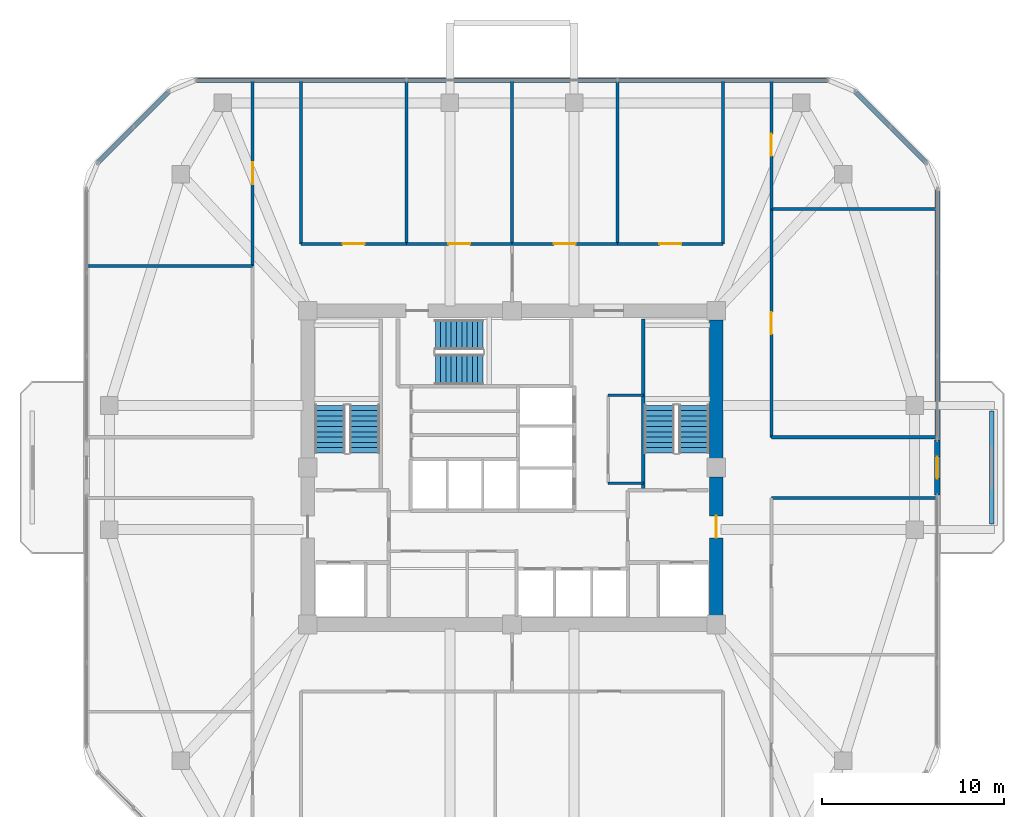
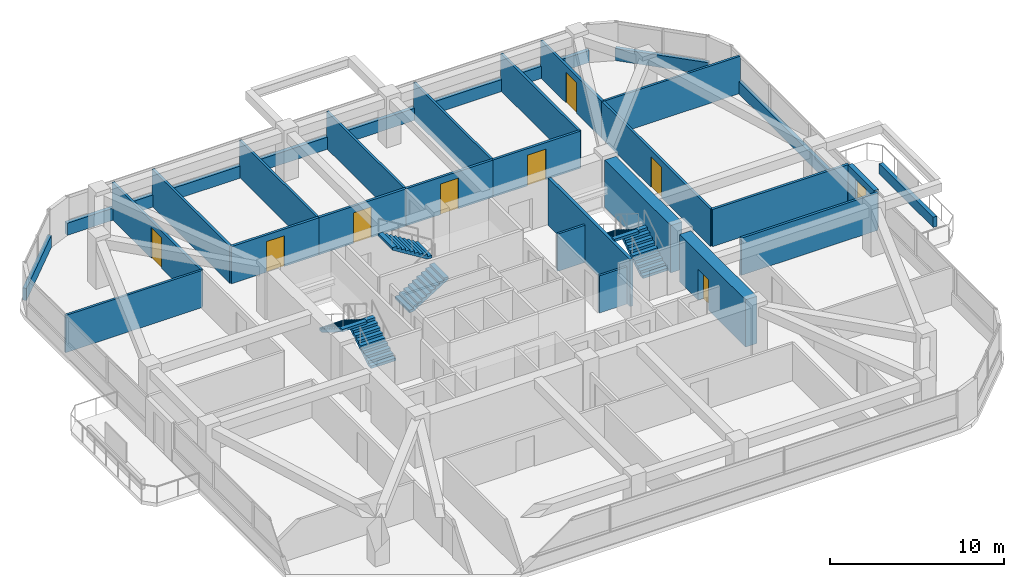
# One storey, part 10 of 12: 27 walls, 9 doors, 6 stair flights, 9 openings, 3 elements without a shape of their own.
"""IFC4 building model written with IfcOpenShell, lengths in metres."""

from ifc_helpers import new_model, si_unit, derived_unit, direction, frame, frame_2d, origin, place, context, subcontext, project, spatial, polyline, rectangle, outline, extrude, material, layer, layer_set, type_object, element, fill, aggregate, save


model = new_model("IFC4")

# Units and contexts
model_context = context("Model", 3, precision=1e-05, world=origin(), true_north=direction((0.0, 1.0)))
body_context = subcontext(model_context, "Body", "Model", "MODEL_VIEW")
ifc_project = project(units=[si_unit("LENGTHUNIT", "METRE"), si_unit("AREAUNIT", "SQUARE_METRE"), si_unit("VOLUMEUNIT", "CUBIC_METRE"), si_unit("PLANEANGLEUNIT", "RADIAN"), si_unit("MASSUNIT", "GRAM", prefix="KILO"), derived_unit("THERMALTRANSMITTANCEUNIT", [(si_unit("POWERUNIT", "WATT"), 1), (si_unit("LENGTHUNIT", "METRE"), -2), (si_unit("THERMODYNAMICTEMPERATUREUNIT", "KELVIN"), -1)])], contexts=[model_context])

# Site, building, storey
site_placement = place(None, origin())
site = spatial("IfcSite", under=ifc_project, at=site_placement, CompositionType="ELEMENT")
building_placement = place(site_placement, origin())
building = spatial("IfcBuilding", under=site, at=building_placement, Name="Koralith Skygarden Medical Center", CompositionType="ELEMENT")
storey_placement = place(building_placement, frame((0.0, 0.0, 170.820068359375)))
storey = spatial("IfcBuildingStorey", under=building, at=storey_placement, Name="L44", CompositionType="ELEMENT", Elevation=170.820068359375)

# Walls
ifc_material_1 = material(Name="Gypsum Board Partition")
ifc_layer_1 = layer(ifc_material_1, 0.14990234375)
ifc_layer_set_1 = layer_set([ifc_layer_1], Name="Gypsum Board Partition")
wall_type_1 = type_object("IfcWallType", Name="Clinical Acoustic Partition 150", PredefinedType="PARTITIONING", material=ifc_layer_set_1)
for number, where, z_axis, x_axis, name in (
    (1, (42.27001953125, 25.0400390625, 0.0), (0.0, 0.0, 1.0), (1.0, 0.0, 0.0), "L44 Clinical Acoustic Partition 150 W-CORE-L44-ESUB-S"),
    (2, (42.27001953125, 29.860107421875, 0.0), (0.0, 0.0, 1.0), (1.0, 0.0, 0.0), "L44 Clinical Acoustic Partition 150 W-CORE-L44-ESUB-N"),
):
    element("IfcWall", number, at=place(storey_placement, frame(where, z_axis=z_axis, x_axis=x_axis)), inside=storey, type_object=wall_type_1, Name=name, PredefinedType="PARTITIONING", context=body_context, shape_type="SweptSolid", body=[
        extrude(rectangle(XDim=1.929931640625, YDim=0.14990234375, at=frame_2d((0.96484375, 0.0))), origin(), (0.0, 0.0, 1.0), 2.60986328125),
    ])
for number, where, z_axis, x_axis, name in (
    (3, (31.219970703125, 38.159912109375, 0.0), (0.0, 0.0, 1.0), (0.0, 1.0, 0.0), "L44 Clinical Acoustic Partition 150 W-PART-L44-N-01"),
    (4, (37.0, 38.159912109375, 0.0), (0.0, 0.0, 1.0), (0.0, 1.0, 0.0), "L44 Clinical Acoustic Partition 150 W-PART-L44-N-02"),
    (5, (42.780029296875, 38.159912109375, 0.0), (0.0, 0.0, 1.0), (0.0, 1.0, 0.0), "L44 Clinical Acoustic Partition 150 W-PART-L44-N-03"),
):
    element("IfcWall", number, at=place(storey_placement, frame(where, z_axis=z_axis, x_axis=x_axis)), inside=storey, type_object=wall_type_1, Name=name, PredefinedType="PARTITIONING", context=body_context, shape_type="SweptSolid", body=[
        extrude(rectangle(XDim=8.940185546875, YDim=0.14990234375, at=frame_2d((4.47021484375, 0.0))), origin(), (0.0, 0.0, 1.0), 2.60986328125),
    ])
for number, where, z_axis, x_axis, name in (
    (6, (22.7900390625, 36.93896484375, 0.0), (0.0, 0.0, 1.0), (-1.0, 0.0, 0.0), "L44 Clinical Acoustic Partition 150 W-PART-L44-WN-01"),
    (7, (51.2099609375, 40.06591796875, 0.0), (0.0, 0.0, 1.0), (1.0, 0.0, 0.0), "L44 Clinical Acoustic Partition 150 W-PART-L44-EN-01"),
):
    element("IfcWall", number, at=place(storey_placement, frame(where, z_axis=z_axis, x_axis=x_axis)), inside=storey, type_object=wall_type_1, Name=name, PredefinedType="PARTITIONING", context=body_context, shape_type="SweptSolid", body=[
        extrude(rectangle(XDim=9.073974609375, YDim=0.14990234375, at=frame_2d((4.537109375, 0.0))), origin(), (0.0, 0.0, 1.0), 2.60986328125),
    ])
ifc_layer_2 = layer(ifc_material_1, 0.1650390625)
ifc_layer_set_2 = layer_set([ifc_layer_2], Name="Gypsum Board Partition")
wall_type_2 = type_object("IfcWallType", Name="Clinical Corridor Partition 165", PredefinedType="PARTITIONING", material=ifc_layer_set_2)
for number, where, z_axis, x_axis, name in (
    (8, (25.429931640625, 38.159912109375, 0.0), (0.0, 0.0, 1.0), (0.0, 1.0, 0.0), "L44 Clinical Corridor Partition 165 W-HCOR-L44-NW"),
    (9, (48.570068359375, 38.159912109375, 0.0), (0.0, 0.0, 1.0), (0.0, 1.0, 0.0), "L44 Clinical Corridor Partition 165 W-HCOR-L44-NE"),
):
    element("IfcWall", number, at=place(storey_placement, frame(where, z_axis=z_axis, x_axis=x_axis)), inside=storey, type_object=wall_type_2, Name=name, PredefinedType="PARTITIONING", context=body_context, shape_type="SweptSolid", body=[
        extrude(rectangle(XDim=8.940185546875, YDim=0.1650390625, at=frame_2d((4.47021484375, 0.0))), origin(), (0.0, 0.0, 1.0), 2.60986328125),
    ])
for number, where, z_axis, x_axis, name in (
    (10, (51.2099609375, 24.239990234375, 0.0), (0.0, 0.0, 1.0), (1.0, 0.0, 0.0), "L44 Clinical Corridor Partition 165 W-HCOR-L44-EWS-E"),
    (11, (51.2099609375, 27.56005859375, 0.0), (0.0, 0.0, 1.0), (1.0, 0.0, 0.0), "L44 Clinical Corridor Partition 165 W-HCOR-L44-EWN-E"),
):
    element("IfcWall", number, at=place(storey_placement, frame(where, z_axis=z_axis, x_axis=x_axis)), inside=storey, type_object=wall_type_2, Name=name, PredefinedType="PARTITIONING", context=body_context, shape_type="SweptSolid", body=[
        extrude(rectangle(XDim=9.073974609375, YDim=0.1650390625, at=frame_2d((4.537109375, 0.0))), origin(), (0.0, 0.0, 1.0), 2.60986328125),
    ])

# Wall, opening, door
wall_1_placement = place(storey_placement, frame((25.429931640625, 38.159912109375, 0.0), z_axis=(0.0, 0.0, 1.0), x_axis=(1.0, 0.0, 0.0)))
wall_1 = element("IfcWall", 12, at=wall_1_placement, inside=storey, type_object=wall_type_2, Name="L44 Clinical Corridor Partition 165 W-CORR-L44-N-01", PredefinedType="PARTITIONING", context=body_context, shape_type="SweptSolid", body=[
    extrude(rectangle(XDim=5.7900390625, YDim=0.1650390625, at=frame_2d((2.89501953125, 0.0))), origin(), (0.0, 0.0, 1.0), 2.60986328125),
])
opening_1_placement = place(wall_1_placement, frame((2.294921875, 0.0, 0.0)))
opening_1 = element("IfcOpeningElement", 13, at=opening_1_placement, cuts=wall_1, Name="Opening D-CLN", PredefinedType="OPENING", context=body_context, shape_type="SweptSolid", body=[
    extrude(rectangle(XDim=1.199951171875, YDim=2.14990234375, at=frame_2d((0.60009765625, 1.074951171875))), frame((0.0, 0.092529296875, 0.0), z_axis=(0.0, -1.0, 0.0), x_axis=(1.0, 0.0, 0.0)), (0.0, 0.0, 1.0), 0.18505859375),
])
ifc_material_2 = material(Name="Aluminium 6063-T6", Category="aluminium")
door_type_1 = type_object("IfcDoorType", Name="Clinical Corridor Door D-CLN 1200", OperationType="NOTDEFINED", PredefinedType="DOOR", material=ifc_material_2)
door_1_placement = place(opening_1_placement, origin())
door_1 = element("IfcDoor", 14, at=door_1_placement, inside=storey, type_object=door_type_1, Name="L44 Neurological Gait Rehab Gym Hall 01 Door", OperationType="SINGLE_SWING_RIGHT", OverallHeight=2.14990234375, OverallWidth=1.199951171875, PredefinedType="DOOR", context=body_context, shape_type="SweptSolid", body=[
    extrude(rectangle(XDim=1.199951171875, YDim=2.14990234375, at=frame_2d((0.60009765625, 1.074951171875))), frame((0.0, 0.02490234375, 0.0), z_axis=(0.0, -1.0, 0.0), x_axis=(1.0, 0.0, 0.0)), (0.0, 0.0, 1.0), 0.050048828125),
])
fill(opening_1, door_1)

wall_2_placement = place(storey_placement, frame((31.219970703125, 38.159912109375, 0.0), z_axis=(0.0, 0.0, 1.0), x_axis=(1.0, 0.0, 0.0)))
wall_2 = element("IfcWall", 15, at=wall_2_placement, inside=storey, type_object=wall_type_2, Name="L44 Clinical Corridor Partition 165 W-CORR-L44-N-02", PredefinedType="PARTITIONING", context=body_context, shape_type="SweptSolid", body=[
    extrude(rectangle(XDim=5.780029296875, YDim=0.1650390625, at=frame_2d((2.89013671875, 0.0))), origin(), (0.0, 0.0, 1.0), 2.60986328125),
])
opening_2_placement = place(wall_2_placement, frame((2.2900390625, 0.0, 0.0)))
opening_2 = element("IfcOpeningElement", 16, at=opening_2_placement, cuts=wall_2, Name="Opening D-CLN", PredefinedType="OPENING", context=body_context, shape_type="SweptSolid", body=[
    extrude(rectangle(XDim=1.199951171875, YDim=2.14990234375, at=frame_2d((0.60009765625, 1.074951171875))), frame((0.0, 0.092529296875, 0.0), z_axis=(0.0, -1.0, 0.0), x_axis=(1.0, 0.0, 0.0)), (0.0, 0.0, 1.0), 0.18505859375),
])
door_2_placement = place(opening_2_placement, origin())
door_2 = element("IfcDoor", 17, at=door_2_placement, inside=storey, type_object=door_type_1, Name="L44 Balance Therapy Exercise Hall 02 Door", OperationType="SINGLE_SWING_LEFT", OverallHeight=2.14990234375, OverallWidth=1.199951171875, PredefinedType="DOOR", context=body_context, shape_type="SweptSolid", body=[
    extrude(rectangle(XDim=1.199951171875, YDim=2.14990234375, at=frame_2d((0.60009765625, 1.074951171875))), frame((0.0, 0.02490234375, 0.0), z_axis=(0.0, -1.0, 0.0), x_axis=(1.0, 0.0, 0.0)), (0.0, 0.0, 1.0), 0.050048828125),
])
fill(opening_2, door_2)

wall_3_placement = place(storey_placement, frame((37.0, 38.159912109375, 0.0), z_axis=(0.0, 0.0, 1.0), x_axis=(1.0, 0.0, 0.0)))
wall_3 = element("IfcWall", 18, at=wall_3_placement, inside=storey, type_object=wall_type_2, Name="L44 Clinical Corridor Partition 165 W-CORR-L44-N-03", PredefinedType="PARTITIONING", context=body_context, shape_type="SweptSolid", body=[
    extrude(rectangle(XDim=5.780029296875, YDim=0.1650390625, at=frame_2d((2.89013671875, 0.0))), origin(), (0.0, 0.0, 1.0), 2.60986328125),
])
opening_3_placement = place(wall_3_placement, frame((2.2900390625, 0.0, 0.0)))
opening_3 = element("IfcOpeningElement", 19, at=opening_3_placement, cuts=wall_3, Name="Opening D-CLN", PredefinedType="OPENING", context=body_context, shape_type="SweptSolid", body=[
    extrude(rectangle(XDim=1.199951171875, YDim=2.14990234375, at=frame_2d((0.60009765625, 1.074951171875))), frame((0.0, 0.092529296875, 0.0), z_axis=(0.0, -1.0, 0.0), x_axis=(1.0, 0.0, 0.0)), (0.0, 0.0, 1.0), 0.18505859375),
])
door_3_placement = place(opening_3_placement, origin())
door_3 = element("IfcDoor", 20, at=door_3_placement, inside=storey, type_object=door_type_1, Name="L44 Physiatry Consult Office 03 Door", OperationType="SINGLE_SWING_RIGHT", OverallHeight=2.14990234375, OverallWidth=1.199951171875, PredefinedType="DOOR", context=body_context, shape_type="SweptSolid", body=[
    extrude(rectangle(XDim=1.199951171875, YDim=2.14990234375, at=frame_2d((0.60009765625, 1.074951171875))), frame((0.0, 0.02490234375, 0.0), z_axis=(0.0, -1.0, 0.0), x_axis=(1.0, 0.0, 0.0)), (0.0, 0.0, 1.0), 0.050048828125),
])
fill(opening_3, door_3)

wall_4_placement = place(storey_placement, frame((42.780029296875, 38.159912109375, 0.0), z_axis=(0.0, 0.0, 1.0), x_axis=(1.0, 0.0, 0.0)))
wall_4 = element("IfcWall", 21, at=wall_4_placement, inside=storey, type_object=wall_type_2, Name="L44 Clinical Corridor Partition 165 W-CORR-L44-N-04", PredefinedType="PARTITIONING", context=body_context, shape_type="SweptSolid", body=[
    extrude(rectangle(XDim=5.7900390625, YDim=0.1650390625, at=frame_2d((2.89501953125, 0.0))), origin(), (0.0, 0.0, 1.0), 2.60986328125),
])
opening_4_placement = place(wall_4_placement, frame((2.294921875, 0.0, 0.0)))
opening_4 = element("IfcOpeningElement", 22, at=opening_4_placement, cuts=wall_4, Name="Opening D-CLN", PredefinedType="OPENING", context=body_context, shape_type="SweptSolid", body=[
    extrude(rectangle(XDim=1.199951171875, YDim=2.14990234375, at=frame_2d((0.60009765625, 1.074951171875))), frame((0.0, 0.092529296875, 0.0), z_axis=(0.0, -1.0, 0.0), x_axis=(1.0, 0.0, 0.0)), (0.0, 0.0, 1.0), 0.18505859375),
])
door_4_placement = place(opening_4_placement, origin())
door_4 = element("IfcDoor", 23, at=door_4_placement, inside=storey, type_object=door_type_1, Name="L44 Clinical Consultation Office 04 Door", OperationType="SINGLE_SWING_LEFT", OverallHeight=2.14990234375, OverallWidth=1.199951171875, PredefinedType="DOOR", context=body_context, shape_type="SweptSolid", body=[
    extrude(rectangle(XDim=1.199951171875, YDim=2.14990234375, at=frame_2d((0.60009765625, 1.074951171875))), frame((0.0, 0.02490234375, 0.0), z_axis=(0.0, -1.0, 0.0), x_axis=(1.0, 0.0, 0.0)), (0.0, 0.0, 1.0), 0.050048828125),
])
fill(opening_4, door_4)

wall_5_placement = place(storey_placement, frame((22.7900390625, 36.93896484375, 0.0), z_axis=(0.0, 0.0, 1.0), x_axis=(0.0, 1.0, 0.0)))
wall_5 = element("IfcWall", 24, at=wall_5_placement, inside=storey, type_object=wall_type_2, Name="L44 Clinical Corridor Partition 165 W-CORR-L44-WN-02", PredefinedType="PARTITIONING", context=body_context, shape_type="SweptSolid", body=[
    extrude(rectangle(XDim=10.1611328125, YDim=0.1650390625, at=frame_2d((5.08056640625, 0.0))), origin(), (0.0, 0.0, 1.0), 2.60986328125),
])
opening_5_placement = place(wall_5_placement, frame((4.48095703125, 0.0, 0.0)))
opening_5 = element("IfcOpeningElement", 25, at=opening_5_placement, cuts=wall_5, Name="Opening D-CLN", PredefinedType="OPENING", context=body_context, shape_type="SweptSolid", body=[
    extrude(rectangle(XDim=1.199951171875, YDim=2.14990234375, at=frame_2d((0.60009765625, 1.074951171875))), frame((0.0, 0.092529296875, 0.0), z_axis=(0.0, -1.0, 0.0), x_axis=(1.0, 0.0, 0.0)), (0.0, 0.0, 1.0), 0.18505859375),
])
door_5_placement = place(opening_5_placement, frame((1.199951171875, 0.0, 0.0), z_axis=(0.0, 0.0, 1.0), x_axis=(-1.0, 0.0, 0.0)))
door_5 = element("IfcDoor", 26, at=door_5_placement, inside=storey, type_object=door_type_1, Name="L44 Balance Therapy Exercise Hall 10 Door", OperationType="SINGLE_SWING_LEFT", OverallHeight=2.14990234375, OverallWidth=1.199951171875, PredefinedType="DOOR", context=body_context, shape_type="SweptSolid", body=[
    extrude(rectangle(XDim=1.199951171875, YDim=2.14990234375, at=frame_2d((0.60009765625, 1.074951171875))), frame((0.0, 0.02490234375, 0.0), z_axis=(0.0, -1.0, 0.0), x_axis=(1.0, 0.0, 0.0)), (0.0, 0.0, 1.0), 0.050048828125),
])
fill(opening_5, door_5)

wall_6_placement = place(storey_placement, frame((51.2099609375, 27.56005859375, 0.0), z_axis=(0.0, 0.0, 1.0), x_axis=(0.0, 1.0, 0.0)))
wall_6 = element("IfcWall", 27, at=wall_6_placement, inside=storey, type_object=wall_type_2, Name="L44 Clinical Corridor Partition 165 W-CORR-L44-EN-01", PredefinedType="PARTITIONING", context=body_context, shape_type="SweptSolid", body=[
    extrude(rectangle(XDim=12.505859375, YDim=0.1650390625, at=frame_2d((6.2529296875, 0.0))), origin(), (0.0, 0.0, 1.0), 2.60986328125),
])
opening_6_placement = place(wall_6_placement, frame((5.653076171875, 0.0, 0.0)))
opening_6 = element("IfcOpeningElement", 28, at=opening_6_placement, cuts=wall_6, Name="Opening D-CLN", PredefinedType="OPENING", context=body_context, shape_type="SweptSolid", body=[
    extrude(rectangle(XDim=1.199951171875, YDim=2.14990234375, at=frame_2d((0.60009765625, 1.074951171875))), frame((0.0, 0.092529296875, 0.0), z_axis=(0.0, -1.0, 0.0), x_axis=(1.0, 0.0, 0.0)), (0.0, 0.0, 1.0), 0.18505859375),
])
door_6_placement = place(opening_6_placement, origin())
door_6 = element("IfcDoor", 29, at=door_6_placement, inside=storey, type_object=door_type_1, Name="L44 Neurological Gait Rehab Gym Hall 13 Door", OperationType="SINGLE_SWING_RIGHT", OverallHeight=2.14990234375, OverallWidth=1.199951171875, PredefinedType="DOOR", context=body_context, shape_type="SweptSolid", body=[
    extrude(rectangle(XDim=1.199951171875, YDim=2.14990234375, at=frame_2d((0.60009765625, 1.074951171875))), frame((0.0, 0.02490234375, 0.0), z_axis=(0.0, -1.0, 0.0), x_axis=(1.0, 0.0, 0.0)), (0.0, 0.0, 1.0), 0.050048828125),
])
fill(opening_6, door_6)

wall_7_placement = place(storey_placement, frame((51.2099609375, 40.06591796875, 0.0), z_axis=(0.0, 0.0, 1.0), x_axis=(0.0, 1.0, 0.0)))
wall_7 = element("IfcWall", 30, at=wall_7_placement, inside=storey, type_object=wall_type_2, Name="L44 Clinical Corridor Partition 165 W-CORR-L44-EN-02", PredefinedType="PARTITIONING", context=body_context, shape_type="SweptSolid", body=[
    extrude(rectangle(XDim=7.0341796875, YDim=0.1650390625, at=frame_2d((3.51708984375, 0.0))), origin(), (0.0, 0.0, 1.0), 2.60986328125),
])
opening_7_placement = place(wall_7_placement, frame((2.9169921875, 0.0, 0.0)))
opening_7 = element("IfcOpeningElement", 31, at=opening_7_placement, cuts=wall_7, Name="Opening D-CLN", PredefinedType="OPENING", context=body_context, shape_type="SweptSolid", body=[
    extrude(rectangle(XDim=1.199951171875, YDim=2.14990234375, at=frame_2d((0.60009765625, 1.074951171875))), frame((0.0, 0.092529296875, 0.0), z_axis=(0.0, -1.0, 0.0), x_axis=(1.0, 0.0, 0.0)), (0.0, 0.0, 1.0), 0.18505859375),
])
door_7_placement = place(opening_7_placement, origin())
door_7 = element("IfcDoor", 32, at=door_7_placement, inside=storey, type_object=door_type_1, Name="L44 Balance Therapy Exercise Hall 14 Door", OperationType="SINGLE_SWING_LEFT", OverallHeight=2.14990234375, OverallWidth=1.199951171875, PredefinedType="DOOR", context=body_context, shape_type="SweptSolid", body=[
    extrude(rectangle(XDim=1.199951171875, YDim=2.14990234375, at=frame_2d((0.60009765625, 1.074951171875))), frame((0.0, 0.02490234375, 0.0), z_axis=(0.0, -1.0, 0.0), x_axis=(1.0, 0.0, 0.0)), (0.0, 0.0, 1.0), 0.050048828125),
])
fill(opening_7, door_7)

# Walls
ifc_material_3 = material(Name="Warm Oolitic Limestone Cladding", Category="masonry")
ifc_layer_3 = layer(ifc_material_3, 0.239990234375)
ifc_layer_set_3 = layer_set([ifc_layer_3], Name="Warm Oolitic Limestone Cladding")
wall_type_3 = type_object("IfcWallType", Name="Limestone Spandrel Sill Backup Wall 240", PredefinedType="SOLIDWALL", material=ifc_layer_set_3)
wall_8_placement = place(storey_placement, frame((60.303955078125, 27.43994140625, 0.0), z_axis=(0.0, 0.0, 1.0), x_axis=(0.0, 1.0, 0.0)))
element("IfcWall", 33, at=wall_8_placement, inside=storey, type_object=wall_type_3, Name="L44 Sill Spandrel E-R", PredefinedType="SOLIDWALL", context=body_context, shape_type="SweptSolid", body=[
    extrude(rectangle(XDim=13.705078125, YDim=0.239990234375, at=frame_2d((6.8525390625, 0.0))), origin(), (0.0, 0.0, 1.0), 0.849853515625),
])
wall_9_placement = place(storey_placement, frame((59.702880859375, 42.595947265625, 0.0), z_axis=(0.0, 0.0, 1.0), x_axis=(-0.707084777957, 0.707128783731, 0.0)))
element("IfcWall", 34, at=wall_9_placement, inside=storey, type_object=wall_type_3, Name="L44 Sill Spandrel NE", PredefinedType="SOLIDWALL", context=body_context, shape_type="SweptSolid", body=[
    extrude(rectangle(XDim=5.5478515625, YDim=0.239990234375, at=frame_2d((2.77392578125, 0.0))), origin(), (0.0, 0.0, 1.0), 0.849853515625),
])
wall_10_placement = place(storey_placement, frame((54.3291015625, 47.1201171875, 0.0), z_axis=(0.0, 0.0, 1.0), x_axis=(-1.0, 0.0, 0.0)))
element("IfcWall", 35, at=wall_10_placement, inside=storey, type_object=wall_type_3, Name="L44 Sill Spandrel N", PredefinedType="SOLIDWALL", context=body_context, shape_type="SweptSolid", body=[
    extrude(rectangle(XDim=34.658203125, YDim=0.239990234375, at=frame_2d((17.3291015625, 0.0))), origin(), (0.0, 0.0, 1.0), 0.849853515625),
])
wall_11_placement = place(storey_placement, frame((18.219970703125, 46.51904296875, 0.0), z_axis=(0.0, 0.0, 1.0), x_axis=(-0.707084777957, -0.707128783731, 0.0)))
element("IfcWall", 36, at=wall_11_placement, inside=storey, type_object=wall_type_3, Name="L44 Sill Spandrel NW", PredefinedType="SOLIDWALL", context=body_context, shape_type="SweptSolid", body=[
    extrude(rectangle(XDim=5.5478515625, YDim=0.239990234375, at=frame_2d((2.77392578125, 0.0))), origin(), (0.0, 0.0, 1.0), 0.849853515625),
])

# Wall, opening, door
ifc_material_4 = material(Name="Concrete C70/85", Category="concrete")
ifc_layer_4 = layer(ifc_material_4, 0.75)
ifc_layer_set_4 = layer_set([ifc_layer_4], Name="Concrete C70/85")
wall_type_4 = type_object("IfcWallType", Name="Mid Core Shear Wall 750", PredefinedType="SHEAR", material=ifc_layer_set_4)
wall_12_placement = place(storey_placement, frame((48.199951171875, 17.804931640625, 0.0), z_axis=(0.0, 0.0, 1.0), x_axis=(0.0, 1.0, 0.0)))
wall_12 = element("IfcWall", 37, at=wall_12_placement, inside=storey, type_object=wall_type_4, Name="L44 Core Shear Wall Segment 3", PredefinedType="SHEAR", context=body_context, shape_type="SweptSolid", body=[
    extrude(rectangle(XDim=7.590087890625, YDim=0.75, at=frame_2d((3.794921875, 0.0))), origin(), (0.0, 0.0, 1.0), 3.31982421875),
])
opening_8_placement = place(wall_12_placement, frame((4.2451171875, 0.0, 0.0)))
opening_8 = element("IfcOpeningElement", 38, at=opening_8_placement, cuts=wall_12, Name="Opening D-ST60", PredefinedType="OPENING", context=body_context, shape_type="SweptSolid", body=[
    extrude(rectangle(XDim=1.199951171875, YDim=2.14990234375, at=frame_2d((0.60009765625, 1.074951171875))), frame((0.0, 0.385009765625, 0.0), z_axis=(0.0, -1.0, 0.0), x_axis=(1.0, 0.0, 0.0)), (0.0, 0.0, 1.0), 0.77001953125),
])
ifc_material_5 = material(Name="Steel ASTM A500 Grade C", Category="steel")
door_type_2 = type_object("IfcDoorType", Name="Smokeproof Stair Fire Door FD60S 1200", OperationType="NOTDEFINED", PredefinedType="DOOR", material=ifc_material_5)
door_8_placement = place(opening_8_placement, frame((1.199951171875, 0.0, 0.0), z_axis=(0.0, 0.0, 1.0), x_axis=(-1.0, 0.0, 0.0)))
door_8 = element("IfcDoor", 39, at=door_8_placement, inside=storey, type_object=door_type_2, Name="L44 East Corridor to Firefighting Lobby Door", OperationType="SINGLE_SWING_RIGHT", OverallHeight=2.14990234375, OverallWidth=1.199951171875, PredefinedType="DOOR", context=body_context, shape_type="SweptSolid", body=[
    extrude(rectangle(XDim=1.199951171875, YDim=2.14990234375, at=frame_2d((0.60009765625, 1.074951171875))), frame((0.0, 0.02490234375, 0.0), z_axis=(0.0, -1.0, 0.0), x_axis=(1.0, 0.0, 0.0)), (0.0, 0.0, 1.0), 0.050048828125),
])
fill(opening_8, door_8)

# Wall
wall_13_placement = place(storey_placement, frame((48.199951171875, 26.405029296875, 0.0), z_axis=(0.0, 0.0, 1.0), x_axis=(0.0, 1.0, 0.0)))
element("IfcWall", 40, at=wall_13_placement, inside=storey, type_object=wall_type_4, Name="L44 Core Shear Wall Segment 4", PredefinedType="SHEAR", context=body_context, shape_type="SweptSolid", body=[
    extrude(rectangle(XDim=7.590087890625, YDim=0.75, at=frame_2d((3.794921875, 0.0))), origin(), (0.0, 0.0, 1.0), 3.31982421875),
])

# Wall, opening, door
ifc_layer_5 = layer(ifc_material_3, 0.300048828125)
ifc_layer_set_5 = layer_set([ifc_layer_5], Name="Warm Oolitic Limestone Cladding")
wall_type_5 = type_object("IfcWallType", Name="Oolitic Limestone Insulated Facade Wall 300", PredefinedType="SOLIDWALL", material=ifc_layer_set_5)
wall_14_placement = place(storey_placement, frame((60.303955078125, 24.39990234375, 0.0), z_axis=(0.0, 0.0, 1.0), x_axis=(0.0, 1.0, 0.0)))
wall_14 = element("IfcWall", 41, at=wall_14_placement, inside=storey, type_object=wall_type_5, Name="L44 Terrace Portal Wall E", PredefinedType="SOLIDWALL", context=body_context, shape_type="SweptSolid", body=[
    extrude(rectangle(XDim=3.0, YDim=0.300048828125, at=frame_2d((1.5, 0.0))), origin(), (0.0, 0.0, 1.0), 2.669921875),
])
opening_9_placement = place(wall_14_placement, frame((0.89990234375, 0.0, 0.0)))
opening_9 = element("IfcOpeningElement", 42, at=opening_9_placement, cuts=wall_14, Name="Opening D-BAL", PredefinedType="OPENING", context=body_context, shape_type="SweptSolid", body=[
    extrude(rectangle(XDim=1.199951171875, YDim=2.199951171875, at=frame_2d((0.60009765625, 1.10009765625))), frame((0.0, 0.159912109375, 0.0), z_axis=(0.0, -1.0, 0.0), x_axis=(1.0, 0.0, 0.0)), (0.0, 0.0, 1.0), 0.320068359375),
])
door_type_3 = type_object("IfcDoorType", Name="Planted Balcony Glazed Terrace Door D-BAL 1200", OperationType="NOTDEFINED", PredefinedType="DOOR", material=ifc_material_2)
door_9_placement = place(opening_9_placement, origin())
door_9 = element("IfcDoor", 43, at=door_9_placement, inside=storey, type_object=door_type_3, Name="L44 E Outdoor Terrace Access Door", OperationType="SINGLE_SWING_LEFT", OverallHeight=2.199951171875, OverallWidth=1.199951171875, PredefinedType="DOOR", context=body_context, shape_type="SweptSolid", body=[
    extrude(rectangle(XDim=1.199951171875, YDim=2.199951171875, at=frame_2d((0.60009765625, 1.10009765625))), frame((0.0, 0.02490234375, 0.0), z_axis=(0.0, -1.0, 0.0), x_axis=(1.0, 0.0, 0.0)), (0.0, 0.0, 1.0), 0.050048828125),
])
fill(opening_9, door_9)

# Walls
ifc_material_6 = material(Name="Precast concrete C40/50", Category="concrete")
ifc_layer_6 = layer(ifc_material_6, 0.25)
ifc_layer_set_6 = layer_set([ifc_layer_6], Name="Precast concrete C40/50")
wall_type_6 = type_object("IfcWallType", Name="Structural Concrete Balcony Planter Kerb 250", PredefinedType="PARAPET", material=ifc_layer_set_6)
wall_15_placement = place(storey_placement, frame((63.283935546875, 22.800048828125, 0.0), z_axis=(0.0, 0.0, 1.0), x_axis=(0.0, 1.0, 0.0)))
element("IfcWall", 44, at=wall_15_placement, inside=storey, type_object=wall_type_6, Name="L44 E Structural Tree PLANTER Box", PredefinedType="PARAPET", context=body_context, shape_type="SweptSolid", body=[
    extrude(rectangle(XDim=6.199951171875, YDim=0.25, at=frame_2d((3.10009765625, 0.0))), origin(), (0.0, 0.0, 1.0), 0.719970703125),
])
ifc_material_7 = material(Name="Concrete C45/55", Category="concrete")
ifc_layer_7 = layer(ifc_material_7, 0.199951171875)
ifc_layer_set_7 = layer_set([ifc_layer_7], Name="Concrete C45/55")
wall_type_7 = type_object("IfcWallType", Name="Structural Stair Shaft Wall 200", PredefinedType="SHEAR", material=ifc_layer_set_7)
wall_16_placement = place(storey_placement, frame((44.199951171875, 24.64990234375, 0.0), z_axis=(0.0, 0.0, 1.0), x_axis=(0.0, 1.0, 0.0)))
element("IfcWall", 45, at=wall_16_placement, inside=storey, type_object=wall_type_7, Name="L44 Structural Stair Shaft Wall 200 W-CORE-L44-ST2-W", PredefinedType="SHEAR", context=body_context, shape_type="SweptSolid", body=[
    extrude(rectangle(XDim=9.400146484375, YDim=0.199951171875, at=frame_2d((4.7001953125, 0.0))), origin(), (0.0, 0.0, 1.0), 3.31982421875),
])

# Stair, stair flights
stair_type = type_object("IfcStairType", Name="Core Exit Dogleg Concrete Stair", PredefinedType="HALF_TURN_STAIR", material=ifc_material_7)
stair_1_placement = place(storey_placement, origin())
stair_1 = element("IfcStair", 46, at=stair_1_placement, inside=storey, type_object=stair_type, Name="L44 Smokeproof Exit Stair ST1", PredefinedType="HALF_TURN_STAIR")
stair_flight_type = type_object("IfcStairFlightType", Name="Core Exit Concrete Stair Flight 1650", PredefinedType="STRAIGHT", material=ifc_material_7)
stair_flight_1_placement = place(storey_placement, frame((28.925048828125, 26.699951171875, 0.0), z_axis=(0.0, 0.0, 1.0), x_axis=(0.0, 1.0, 0.0)))
stair_flight_1 = element("IfcStairFlight", 47, at=stair_flight_1_placement, type_object=stair_flight_type, Name="ST1 flight 1", NumberOfRisers=10, NumberOfTreads=9, PredefinedType="STRAIGHT", RiserHeight=0.18, TreadLength=0.29, context=body_context, shape_type="SweptSolid", body=[
    extrude(outline(polyline([(0.0, 0.0), (0.0, 0.179931640625), (0.2900390625, 0.179931640625), (0.2900390625, 0.360107421875), (0.580078125, 0.360107421875), (0.580078125, 0.5400390625), (0.8701171875, 0.5400390625), (0.8701171875, 0.719970703125), (1.159912109375, 0.719970703125), (1.159912109375, 0.89990234375), (1.449951171875, 0.89990234375), (1.449951171875, 1.080078125), (1.739990234375, 1.080078125), (1.739990234375, 1.260009765625), (2.030029296875, 1.260009765625), (2.030029296875, 1.43994140625), (2.320068359375, 1.43994140625), (2.320068359375, 1.6201171875), (2.610107421875, 1.6201171875), (2.610107421875, 1.800048828125), (2.610107421875, 1.443603515625), (0.2841796875, 0.0), (0.0, 0.0)])), frame((0.0, 0.824951171875, 0.0), z_axis=(0.0, -1.0, 0.0), x_axis=(1.0, 0.0, 0.0)), (0.0, 0.0, 1.0), 1.64990234375),
])
stair_flight_2_placement = place(storey_placement, frame((27.02490234375, 29.31005859375, 1.800048828125), z_axis=(0.0, 0.0, 1.0), x_axis=(0.0, -1.0, 0.0)))
stair_flight_2 = element("IfcStairFlight", 48, at=stair_flight_2_placement, type_object=stair_flight_type, Name="ST1 flight 2", NumberOfRisers=10, NumberOfTreads=9, PredefinedType="STRAIGHT", RiserHeight=0.18, TreadLength=0.29, context=body_context, shape_type="SweptSolid", body=[
    extrude(outline(polyline([(0.0, 0.0), (0.0, 0.179931640625), (0.2900390625, 0.179931640625), (0.2900390625, 0.360107421875), (0.580078125, 0.360107421875), (0.580078125, 0.5400390625), (0.8701171875, 0.5400390625), (0.8701171875, 0.719970703125), (1.159912109375, 0.719970703125), (1.159912109375, 0.89990234375), (1.449951171875, 0.89990234375), (1.449951171875, 1.080078125), (1.739990234375, 1.080078125), (1.739990234375, 1.260009765625), (2.030029296875, 1.260009765625), (2.030029296875, 1.43994140625), (2.320068359375, 1.43994140625), (2.320068359375, 1.6201171875), (2.610107421875, 1.6201171875), (2.610107421875, 1.800048828125), (2.610107421875, 1.443603515625), (0.2841796875, 0.0), (0.0, 0.0)])), frame((0.0, 0.824951171875, 0.0), z_axis=(0.0, -1.0, 0.0), x_axis=(1.0, 0.0, 0.0)), (0.0, 0.0, 1.0), 1.64990234375),
])
aggregate(stair_1, [stair_flight_1, stair_flight_2])

stair_2_placement = place(storey_placement, origin())
stair_2 = element("IfcStair", 49, at=stair_2_placement, inside=storey, type_object=stair_type, Name="L44 Smokeproof Exit Stair ST2", PredefinedType="HALF_TURN_STAIR")
stair_flight_3_placement = place(storey_placement, frame((46.97509765625, 26.699951171875, 0.0), z_axis=(0.0, 0.0, 1.0), x_axis=(0.0, 1.0, 0.0)))
stair_flight_3 = element("IfcStairFlight", 50, at=stair_flight_3_placement, type_object=stair_flight_type, Name="ST2 flight 1", NumberOfRisers=10, NumberOfTreads=9, PredefinedType="STRAIGHT", RiserHeight=0.18, TreadLength=0.29, context=body_context, shape_type="SweptSolid", body=[
    extrude(outline(polyline([(0.0, 0.0), (0.0, 0.179931640625), (0.2900390625, 0.179931640625), (0.2900390625, 0.360107421875), (0.580078125, 0.360107421875), (0.580078125, 0.5400390625), (0.8701171875, 0.5400390625), (0.8701171875, 0.719970703125), (1.159912109375, 0.719970703125), (1.159912109375, 0.89990234375), (1.449951171875, 0.89990234375), (1.449951171875, 1.080078125), (1.739990234375, 1.080078125), (1.739990234375, 1.260009765625), (2.030029296875, 1.260009765625), (2.030029296875, 1.43994140625), (2.320068359375, 1.43994140625), (2.320068359375, 1.6201171875), (2.610107421875, 1.6201171875), (2.610107421875, 1.800048828125), (2.610107421875, 1.443603515625), (0.2841796875, 0.0), (0.0, 0.0)])), frame((0.0, 0.824951171875, 0.0), z_axis=(0.0, -1.0, 0.0), x_axis=(1.0, 0.0, 0.0)), (0.0, 0.0, 1.0), 1.64990234375),
])
stair_flight_4_placement = place(storey_placement, frame((45.074951171875, 29.31005859375, 1.800048828125), z_axis=(0.0, 0.0, 1.0), x_axis=(0.0, -1.0, 0.0)))
stair_flight_4 = element("IfcStairFlight", 51, at=stair_flight_4_placement, type_object=stair_flight_type, Name="ST2 flight 2", NumberOfRisers=10, NumberOfTreads=9, PredefinedType="STRAIGHT", RiserHeight=0.18, TreadLength=0.29, context=body_context, shape_type="SweptSolid", body=[
    extrude(outline(polyline([(0.0, 0.0), (0.0, 0.179931640625), (0.2900390625, 0.179931640625), (0.2900390625, 0.360107421875), (0.580078125, 0.360107421875), (0.580078125, 0.5400390625), (0.8701171875, 0.5400390625), (0.8701171875, 0.719970703125), (1.159912109375, 0.719970703125), (1.159912109375, 0.89990234375), (1.449951171875, 0.89990234375), (1.449951171875, 1.080078125), (1.739990234375, 1.080078125), (1.739990234375, 1.260009765625), (2.030029296875, 1.260009765625), (2.030029296875, 1.43994140625), (2.320068359375, 1.43994140625), (2.320068359375, 1.6201171875), (2.610107421875, 1.6201171875), (2.610107421875, 1.800048828125), (2.610107421875, 1.443603515625), (0.2841796875, 0.0), (0.0, 0.0)])), frame((0.0, 0.824951171875, 0.0), z_axis=(0.0, -1.0, 0.0), x_axis=(1.0, 0.0, 0.0)), (0.0, 0.0, 1.0), 1.64990234375),
])
aggregate(stair_2, [stair_flight_3, stair_flight_4])

stair_3_placement = place(storey_placement, origin())
stair_3 = element("IfcStair", 52, at=stair_3_placement, inside=storey, type_object=stair_type, Name="L44 Smokeproof Exit Stair ST3", PredefinedType="HALF_TURN_STAIR")
stair_flight_5_placement = place(storey_placement, frame((32.800048828125, 31.27490234375, 0.0), z_axis=(0.0, 0.0, 1.0), x_axis=(1.0, 0.0, 0.0)))
stair_flight_5 = element("IfcStairFlight", 53, at=stair_flight_5_placement, type_object=stair_flight_type, Name="ST3 flight 1", NumberOfRisers=10, NumberOfTreads=9, PredefinedType="STRAIGHT", RiserHeight=0.18, TreadLength=0.29, context=body_context, shape_type="SweptSolid", body=[
    extrude(outline(polyline([(0.0, 0.0), (0.0, 0.179931640625), (0.2900390625, 0.179931640625), (0.2900390625, 0.360107421875), (0.580078125, 0.360107421875), (0.580078125, 0.5400390625), (0.8701171875, 0.5400390625), (0.8701171875, 0.719970703125), (1.159912109375, 0.719970703125), (1.159912109375, 0.89990234375), (1.449951171875, 0.89990234375), (1.449951171875, 1.080078125), (1.739990234375, 1.080078125), (1.739990234375, 1.260009765625), (2.030029296875, 1.260009765625), (2.030029296875, 1.43994140625), (2.320068359375, 1.43994140625), (2.320068359375, 1.6201171875), (2.610107421875, 1.6201171875), (2.610107421875, 1.800048828125), (2.610107421875, 1.443603515625), (0.2841796875, 0.0), (0.0, 0.0)])), frame((0.0, 0.824951171875, 0.0), z_axis=(0.0, -1.0, 0.0), x_axis=(1.0, 0.0, 0.0)), (0.0, 0.0, 1.0), 1.64990234375),
])
stair_flight_6_placement = place(storey_placement, frame((35.409912109375, 33.175048828125, 1.800048828125), z_axis=(0.0, 0.0, 1.0), x_axis=(-1.0, 0.0, 0.0)))
stair_flight_6 = element("IfcStairFlight", 54, at=stair_flight_6_placement, type_object=stair_flight_type, Name="ST3 flight 2", NumberOfRisers=10, NumberOfTreads=9, PredefinedType="STRAIGHT", RiserHeight=0.18, TreadLength=0.29, context=body_context, shape_type="SweptSolid", body=[
    extrude(outline(polyline([(0.0, 0.0), (0.0, 0.179931640625), (0.2900390625, 0.179931640625), (0.2900390625, 0.360107421875), (0.580078125, 0.360107421875), (0.580078125, 0.5400390625), (0.8701171875, 0.5400390625), (0.8701171875, 0.719970703125), (1.159912109375, 0.719970703125), (1.159912109375, 0.89990234375), (1.449951171875, 0.89990234375), (1.449951171875, 1.080078125), (1.739990234375, 1.080078125), (1.739990234375, 1.260009765625), (2.030029296875, 1.260009765625), (2.030029296875, 1.43994140625), (2.320068359375, 1.43994140625), (2.320068359375, 1.6201171875), (2.610107421875, 1.6201171875), (2.610107421875, 1.800048828125), (2.610107421875, 1.443603515625), (0.2841796875, 0.0), (0.0, 0.0)])), frame((0.0, 0.824951171875, 0.0), z_axis=(0.0, -1.0, 0.0), x_axis=(1.0, 0.0, 0.0)), (0.0, 0.0, 1.0), 1.64990234375),
])
aggregate(stair_3, [stair_flight_5, stair_flight_6])

save(model, "model.ifc")
